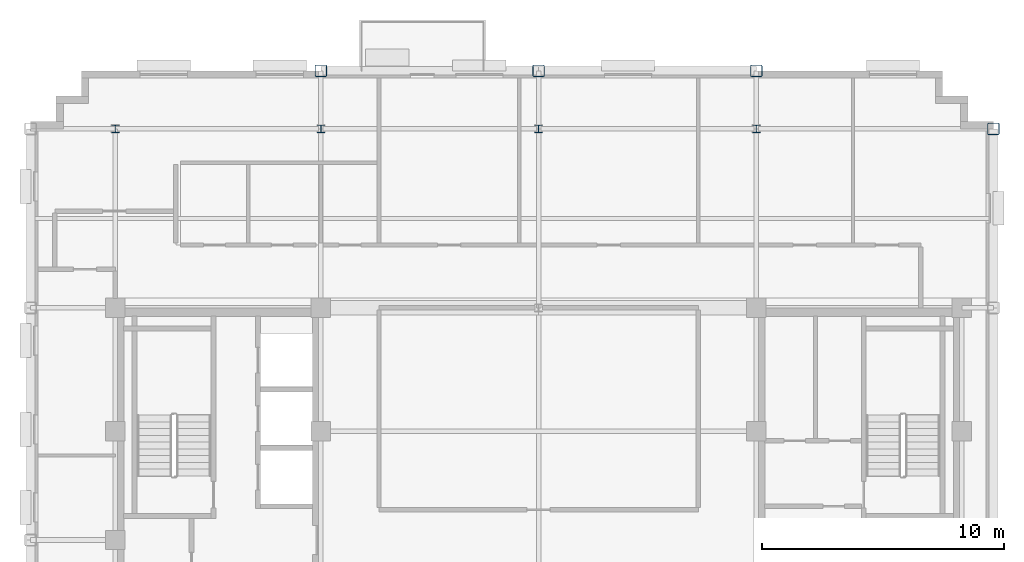
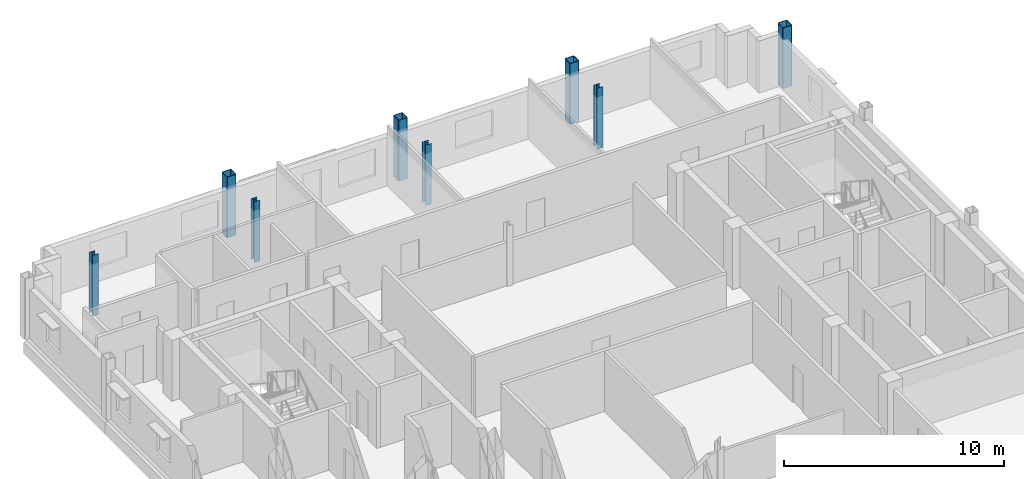
# One storey, part 3 of 13: 8 columns.
"""IFC4 building model written with IfcOpenShell, lengths in metres."""

from ifc_helpers import new_model, si_unit, direction, frame, origin, origin_2d, place, context, subcontext, project, spatial, hollow_rectangle, i_section, extrude, material, material_profile, profile_set, type_object, element, save


model = new_model("IFC4")

# Units and contexts
model_context = context("Model", 3, precision=1e-05, world=origin(), true_north=direction((0.0, 1.0)))
body_context = subcontext(model_context, "Body", "Model", "MODEL_VIEW")
ifc_project = project(units=[si_unit("LENGTHUNIT", "METRE"), si_unit("AREAUNIT", "SQUARE_METRE"), si_unit("VOLUMEUNIT", "CUBIC_METRE"), si_unit("PLANEANGLEUNIT", "RADIAN"), si_unit("MASSUNIT", "GRAM", prefix="KILO")], contexts=[model_context])

# Site, building, storey
site_placement = place(None, origin())
site = spatial("IfcSite", under=ifc_project, at=site_placement, CompositionType="ELEMENT")
building_placement = place(site_placement, origin())
building = spatial("IfcBuilding", under=site, at=building_placement, Name="Nuvemarco Arch Tower", CompositionType="ELEMENT")
storey_placement = place(building_placement, frame((0.0, 0.0, 261.60009765625)))
storey = spatial("IfcBuildingStorey", under=building, at=storey_placement, Name="L69", CompositionType="ELEMENT", Elevation=261.60009765625)

# Columns
ifc_material = material(Name="Steel S355", Category="steel")
ifc_material_profile_1 = material_profile(ifc_material, hollow_rectangle(XDim=0.5, YDim=0.5, WallThickness=0.031982421875, InnerFilletRadius=0.031982421875, OuterFilletRadius=0.06396484375, at=origin_2d()), Name="SHS500x500x32")
ifc_profile_set_1 = profile_set([ifc_material_profile_1], Name="Steel S355")
column_type_1 = type_object("IfcColumnType", Name="COL-EXO-500", PredefinedType="COLUMN", material=ifc_profile_set_1)
for number, where, z_axis, x_axis, name in (
    (1, (18.800048828125, 17.0, 0.0), (0.0, 0.0, 1.0), (1.0, 0.0, 0.0), "L69 column CX_+18.8_+17.0"),
    (2, (-9.0, 19.39990234375, 0.0), (0.0, 0.0, 1.0), (1.0, 0.0, 0.0), "L69 column CY_-9.0_+19.4"),
    (3, (0.0, 19.39990234375, 0.0), (0.0, 0.0, 1.0), (1.0, 0.0, 0.0), "L69 column CY_+0.0_+19.4"),
    (4, (9.0, 19.39990234375, 0.0), (0.0, 0.0, 1.0), (1.0, 0.0, 0.0), "L69 column CY_+9.0_+19.4"),
):
    element("IfcColumn", number, at=place(storey_placement, frame(where, z_axis=z_axis, x_axis=x_axis)), inside=storey, type_object=column_type_1, Name=name, PredefinedType="COLUMN", context=body_context, shape_type="SweptSolid", body=[
        extrude(hollow_rectangle(XDim=0.5, YDim=0.5, WallThickness=0.031982421875, InnerFilletRadius=0.031982421875, OuterFilletRadius=0.06396484375, at=origin_2d()), origin(), (0.0, 0.0, 1.0), 3.369873046875),
    ])
ifc_material_profile_2 = material_profile(ifc_material, i_section(OverallWidth=0.31005859375, OverallDepth=0.31005859375, WebThickness=0.015380859375, FlangeThickness=0.015380859375, FilletRadius=0.014892578125, at=origin_2d()), Name="HP310x110")
ifc_profile_set_2 = profile_set([ifc_material_profile_2], Name="Steel S355")
column_type_2 = type_object("IfcColumnType", Name="COL-STL-HP310", PredefinedType="COLUMN", material=ifc_profile_set_2)
for number, where, z_axis, x_axis, name in (
    (5, (0.0, 17.0, 0.0), (0.0, 0.0, 1.0), (1.0, 0.0, 0.0), "L69 column CI_+0.0_+17.0"),
    (6, (-17.5, 17.0, 0.0), (0.0, 0.0, 1.0), (1.0, 0.0, 0.0), "L69 column CI_-17.5_+17.0"),
    (7, (-9.0, 17.0, 0.0), (0.0, 0.0, 1.0), (1.0, 0.0, 0.0), "L69 column CI_-9.0_+17.0"),
    (8, (9.0, 17.0, 0.0), (0.0, 0.0, 1.0), (1.0, 0.0, 0.0), "L69 column CI_+9.0_+17.0"),
):
    element("IfcColumn", number, at=place(storey_placement, frame(where, z_axis=z_axis, x_axis=x_axis)), inside=storey, type_object=column_type_2, Name=name, PredefinedType="COLUMN", context=body_context, shape_type="SweptSolid", body=[
        extrude(i_section(OverallWidth=0.31005859375, OverallDepth=0.31005859375, WebThickness=0.015380859375, FlangeThickness=0.015380859375, FilletRadius=0.014892578125, at=origin_2d()), origin(), (0.0, 0.0, 1.0), 3.369873046875),
    ])

save(model, "model.ifc")
